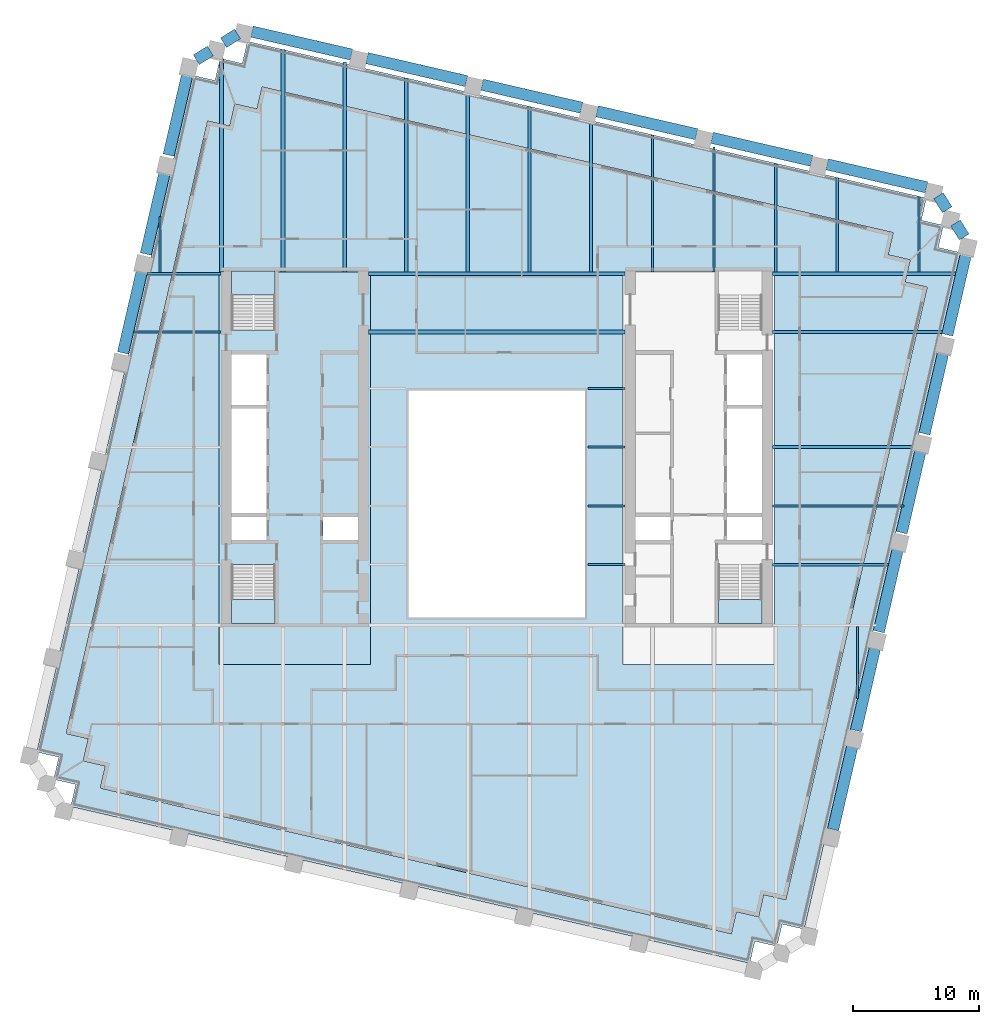
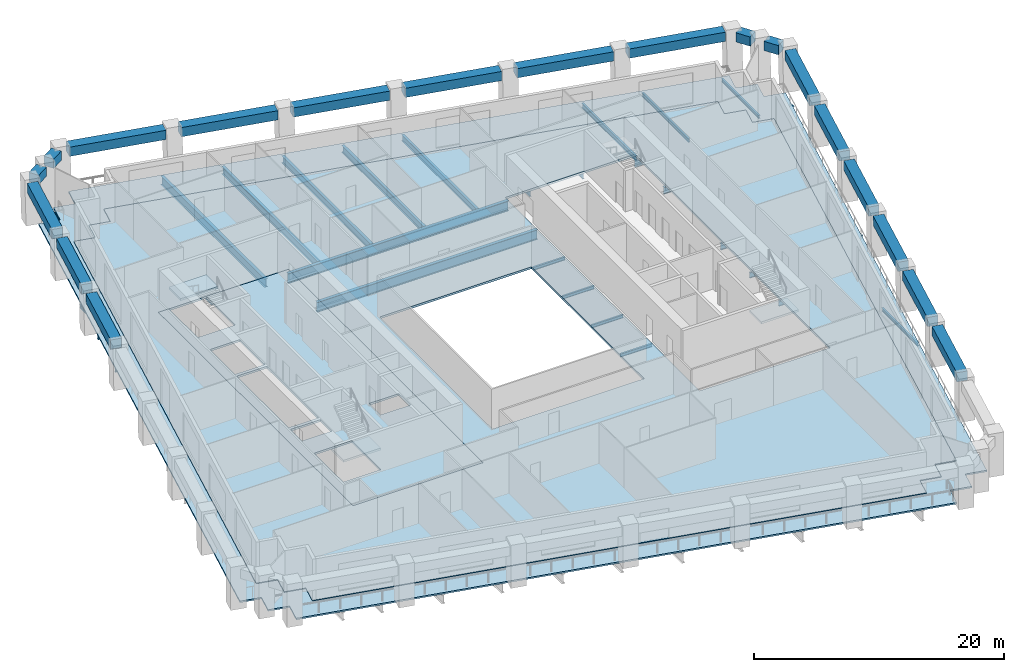
# One storey, part 2 of 10: 46 beams, 6 slabs, 3 elements without a shape of their own.
"""IFC4 building model written with IfcOpenShell, lengths in metres."""

from ifc_helpers import new_model, si_unit, direction, frame, origin, origin_2d, place, context, subcontext, project, spatial, polyline, rectangle, i_section, outline, extrude, material, layer, layer_set, material_profile, profile_set, type_object, element, aggregate, save


model = new_model("IFC4")

# Units and contexts
model_context = context("Model", 3, precision=1e-05, world=origin(), true_north=direction((0.0, 1.0)))
body_context = subcontext(model_context, "Body", "Model", "MODEL_VIEW")
ifc_project = project(units=[si_unit("LENGTHUNIT", "METRE"), si_unit("AREAUNIT", "SQUARE_METRE"), si_unit("VOLUMEUNIT", "CUBIC_METRE"), si_unit("PLANEANGLEUNIT", "RADIAN"), si_unit("MASSUNIT", "GRAM", prefix="KILO")], contexts=[model_context])

# Site, building, storey
site_placement = place(None, origin())
site = spatial("IfcSite", under=ifc_project, at=site_placement, CompositionType="ELEMENT")
building_placement = place(site_placement, origin())
building = spatial("IfcBuilding", under=site, at=building_placement, Name="Ogive Exchange Tower", CompositionType="ELEMENT")
storey_placement = place(building_placement, frame((0.0, 0.0, 114.0)))
storey = spatial("IfcBuildingStorey", under=building, at=storey_placement, Name="L24", CompositionType="ELEMENT", Elevation=114.0)

# Beams
ifc_material_1 = material(Name="Steel ASTM A992 Gr50", Category="steel")
ifc_material_profile_1 = material_profile(ifc_material_1, i_section(OverallWidth=0.300048828125, OverallDepth=0.969970703125, WebThickness=0.01611328125, FlangeThickness=0.02099609375, at=origin_2d()), Name="W1000x222")
ifc_profile_set_1 = profile_set([ifc_material_profile_1], Name="Steel ASTM A992 Gr50")
beam_type_1 = type_object("IfcBeamType", Name="Floor beam W1000x222", PredefinedType="JOIST", material=ifc_profile_set_1)
beam_1_placement = place(storey_placement, frame((-10.169921875, 20.62255859375, -0.68505859375), z_axis=(1.0, 0.0, 0.0), x_axis=(0.0, 1.0, 0.0)))
element("IfcBeam", 1, at=beam_1_placement, inside=storey, type_object=beam_type_1, Name="Floor beam", PredefinedType="JOIST", context=body_context, shape_type="SweptSolid", body=[
    extrude(i_section(OverallWidth=0.300048828125, OverallDepth=0.969970703125, WebThickness=0.01611328125, FlangeThickness=0.02099609375, at=origin_2d()), origin(), (0.0, 0.0, 1.0), 20.33984375),
])
ifc_material_profile_2 = material_profile(ifc_material_1, i_section(OverallWidth=0.1650390625, OverallDepth=0.31005859375, WebThickness=0.005859375, FlangeThickness=0.009765625, at=origin_2d()), Name="W310x38.7")
ifc_profile_set_2 = profile_set([ifc_material_profile_2], Name="Steel ASTM A992 Gr50")
beam_type_2 = type_object("IfcBeamType", Name="Floor beam W310x38.7", PredefinedType="JOIST", material=ifc_profile_set_2)
for number, where, z_axis, x_axis, name in (
    (2, (7.219970703125, 2.208740234375, -0.35498046875), (1.0, 0.0, 0.0), (0.0, 1.0, 0.0), "Floor beam"),
    (3, (7.219970703125, 6.857421875, -0.35498046875), (1.0, 0.0, 0.0), (0.0, 1.0, 0.0), "Floor beam"),
    (4, (7.219970703125, 11.50634765625, -0.35498046875), (1.0, 0.0, 0.0), (0.0, 1.0, 0.0), "Floor beam"),
):
    element("IfcBeam", number, at=place(storey_placement, frame(where, z_axis=z_axis, x_axis=x_axis)), inside=storey, type_object=beam_type_2, Name=name, PredefinedType="JOIST", context=body_context, shape_type="SweptSolid", body=[
        extrude(i_section(OverallWidth=0.1650390625, OverallDepth=0.31005859375, WebThickness=0.005859375, FlangeThickness=0.009765625, at=origin_2d()), origin(), (0.0, 0.0, 1.0), 2.949951171875),
    ])
beam_2_placement = place(storey_placement, frame((28.578125, -8.41162109375, -0.35498046875), z_axis=(0.0, 1.0, 0.0), x_axis=(-1.0, 0.0, 0.0)))
element("IfcBeam", 5, at=beam_2_placement, inside=storey, type_object=beam_type_2, Name="Floor beam", PredefinedType="JOIST", context=body_context, shape_type="SweptSolid", body=[
    extrude(i_section(OverallWidth=0.1650390625, OverallDepth=0.31005859375, WebThickness=0.005859375, FlangeThickness=0.009765625, at=origin_2d()), origin(), (0.0, 0.0, 1.0), 5.720703125),
])
beam_3_placement = place(storey_placement, frame((-26.68359375, 25.33056640625, -0.35498046875), z_axis=(0.0, 1.0, 0.0), x_axis=(-1.0, 0.0, 0.0)))
element("IfcBeam", 6, at=beam_3_placement, inside=storey, type_object=beam_type_2, Name="Floor beam", PredefinedType="JOIST", context=body_context, shape_type="SweptSolid", body=[
    extrude(i_section(OverallWidth=0.1650390625, OverallDepth=0.31005859375, WebThickness=0.005859375, FlangeThickness=0.009765625, at=origin_2d()), origin(), (0.0, 0.0, 1.0), 4.43701171875),
])
beam_4_placement = place(storey_placement, frame((33.456298828125, 25.39111328125, -0.35498046875), z_axis=(0.0, 1.0, 0.0), x_axis=(-1.0, 0.0, 0.0)))
element("IfcBeam", 7, at=beam_4_placement, inside=storey, type_object=beam_type_2, Name="Floor beam", PredefinedType="JOIST", context=body_context, shape_type="SweptSolid", body=[
    extrude(i_section(OverallWidth=0.1650390625, OverallDepth=0.31005859375, WebThickness=0.005859375, FlangeThickness=0.009765625, at=origin_2d()), origin(), (0.0, 0.0, 1.0), 5.9794921875),
])
ifc_material_profile_3 = material_profile(ifc_material_1, i_section(OverallWidth=0.1708984375, OverallDepth=0.35595703125, WebThickness=0.00732421875, FlangeThickness=0.01171875, at=origin_2d()), Name="W360x51")
ifc_profile_set_3 = profile_set([ifc_material_profile_3], Name="Steel ASTM A992 Gr50")
beam_type_3 = type_object("IfcBeamType", Name="Floor beam W360x51", PredefinedType="JOIST", material=ifc_profile_set_3)
beam_5_placement = place(storey_placement, frame((-28.76025390625, 20.62255859375, -0.3779296875), z_axis=(1.0, 0.0, 0.0), x_axis=(0.0, 1.0, 0.0)))
element("IfcBeam", 8, at=beam_5_placement, inside=storey, type_object=beam_type_3, Name="Floor beam", PredefinedType="JOIST", context=body_context, shape_type="SweptSolid", body=[
    extrude(i_section(OverallWidth=0.1708984375, OverallDepth=0.35595703125, WebThickness=0.00732421875, FlangeThickness=0.01171875, at=origin_2d()), origin(), (0.0, 0.0, 1.0), 6.93017578125),
])
beam_6_placement = place(storey_placement, frame((26.97802734375, 25.39111328125, -0.3779296875), z_axis=(0.0, 1.0, 0.0), x_axis=(-1.0, 0.0, 0.0)))
element("IfcBeam", 9, at=beam_6_placement, inside=storey, type_object=beam_type_3, Name="Floor beam", PredefinedType="JOIST", context=body_context, shape_type="SweptSolid", body=[
    extrude(i_section(OverallWidth=0.1708984375, OverallDepth=0.35595703125, WebThickness=0.00732421875, FlangeThickness=0.01171875, at=origin_2d()), origin(), (0.0, 0.0, 1.0), 7.47509765625),
])
ifc_material_profile_4 = material_profile(ifc_material_1, i_section(OverallWidth=0.19091796875, OverallDepth=0.45703125, WebThickness=0.009033203125, FlangeThickness=0.014404296875, at=origin_2d()), Name="W460x74")
ifc_profile_set_4 = profile_set([ifc_material_profile_4], Name="Steel ASTM A992 Gr50")
beam_type_4 = type_object("IfcBeamType", Name="Floor beam W460x74", PredefinedType="JOIST", material=ifc_profile_set_4)
beam_7_placement = place(storey_placement, frame((21.830078125, 2.208740234375, -0.428466796875), z_axis=(1.0, 0.0, 0.0), x_axis=(0.0, 1.0, 0.0)))
element("IfcBeam", 10, at=beam_7_placement, inside=storey, type_object=beam_type_4, Name="Floor beam", PredefinedType="JOIST", context=body_context, shape_type="SweptSolid", body=[
    extrude(i_section(OverallWidth=0.19091796875, OverallDepth=0.45703125, WebThickness=0.009033203125, FlangeThickness=0.014404296875, at=origin_2d()), origin(), (0.0, 0.0, 1.0), 9.199951171875),
])
beam_8_placement = place(storey_placement, frame((22.099853515625, 25.39111328125, -0.428466796875), z_axis=(0.0, 1.0, 0.0), x_axis=(-1.0, 0.0, 0.0)))
element("IfcBeam", 11, at=beam_8_placement, inside=storey, type_object=beam_type_4, Name="Floor beam", PredefinedType="JOIST", context=body_context, shape_type="SweptSolid", body=[
    extrude(i_section(OverallWidth=0.19091796875, OverallDepth=0.45703125, WebThickness=0.009033203125, FlangeThickness=0.014404296875, at=origin_2d()), origin(), (0.0, 0.0, 1.0), 8.601318359375),
])
ifc_material_profile_5 = material_profile(ifc_material_1, i_section(OverallWidth=0.1669921875, OverallDepth=0.535888671875, WebThickness=0.01025390625, FlangeThickness=0.0166015625, at=origin_2d()), Name="W530x85")
ifc_profile_set_5 = profile_set([ifc_material_profile_5], Name="Steel ASTM A992 Gr50")
beam_type_5 = type_object("IfcBeamType", Name="Floor beam W530x85", PredefinedType="JOIST", material=ifc_profile_set_5)
beam_9_placement = place(storey_placement, frame((21.830078125, 6.857421875, -0.468017578125), z_axis=(1.0, 0.0, 0.0), x_axis=(0.0, 1.0, 0.0)))
element("IfcBeam", 12, at=beam_9_placement, inside=storey, type_object=beam_type_5, Name="Floor beam", PredefinedType="JOIST", context=body_context, shape_type="SweptSolid", body=[
    extrude(i_section(OverallWidth=0.1669921875, OverallDepth=0.535888671875, WebThickness=0.01025390625, FlangeThickness=0.0166015625, at=origin_2d()), origin(), (0.0, 0.0, 1.0), 10.423095703125),
])
beam_10_placement = place(storey_placement, frame((12.343017578125, 25.39990234375, -0.468017578125), z_axis=(0.0, 1.0, 0.0), x_axis=(-1.0, 0.0, 0.0)))
element("IfcBeam", 13, at=beam_10_placement, inside=storey, type_object=beam_type_5, Name="Floor beam", PredefinedType="JOIST", context=body_context, shape_type="SweptSolid", body=[
    extrude(i_section(OverallWidth=0.1669921875, OverallDepth=0.535888671875, WebThickness=0.01025390625, FlangeThickness=0.0166015625, at=origin_2d()), origin(), (0.0, 0.0, 1.0), 10.844970703125),
])
beam_11_placement = place(storey_placement, frame((17.221435546875, 25.39990234375, -0.468017578125), z_axis=(0.0, 1.0, 0.0), x_axis=(-1.0, 0.0, 0.0)))
element("IfcBeam", 14, at=beam_11_placement, inside=storey, type_object=beam_type_5, Name="Floor beam", PredefinedType="JOIST", context=body_context, shape_type="SweptSolid", body=[
    extrude(i_section(OverallWidth=0.1669921875, OverallDepth=0.535888671875, WebThickness=0.01025390625, FlangeThickness=0.0166015625, at=origin_2d()), origin(), (0.0, 0.0, 1.0), 9.86865234375),
])
ifc_material_profile_6 = material_profile(ifc_material_1, i_section(OverallWidth=0.22802734375, OverallDepth=0.60205078125, WebThickness=0.010498046875, FlangeThickness=0.014892578125, at=origin_2d()), Name="W610x101")
ifc_profile_set_6 = profile_set([ifc_material_profile_6], Name="Steel ASTM A992 Gr50")
beam_type_6 = type_object("IfcBeamType", Name="Floor beam W610x101", PredefinedType="JOIST", material=ifc_profile_set_6)
beam_12_placement = place(storey_placement, frame((21.830078125, 11.50634765625, -0.5009765625), z_axis=(1.0, 0.0, 0.0), x_axis=(0.0, 1.0, 0.0)))
element("IfcBeam", 15, at=beam_12_placement, inside=storey, type_object=beam_type_6, Name="Floor beam", PredefinedType="JOIST", context=body_context, shape_type="SweptSolid", body=[
    extrude(i_section(OverallWidth=0.22802734375, OverallDepth=0.60205078125, WebThickness=0.010498046875, FlangeThickness=0.014892578125, at=origin_2d()), origin(), (0.0, 0.0, 1.0), 11.346435546875),
])
beam_13_placement = place(storey_placement, frame((7.464599609375, 25.39501953125, -0.5009765625), z_axis=(0.0, 1.0, 0.0), x_axis=(-1.0, 0.0, 0.0)))
element("IfcBeam", 16, at=beam_13_placement, inside=storey, type_object=beam_type_6, Name="Floor beam", PredefinedType="JOIST", context=body_context, shape_type="SweptSolid", body=[
    extrude(i_section(OverallWidth=0.22802734375, OverallDepth=0.60205078125, WebThickness=0.010498046875, FlangeThickness=0.014892578125, at=origin_2d()), origin(), (0.0, 0.0, 1.0), 11.97607421875),
])
ifc_material_profile_7 = material_profile(ifc_material_1, i_section(OverallWidth=0.25390625, OverallDepth=0.677978515625, WebThickness=0.01171875, FlangeThickness=0.016357421875, at=origin_2d()), Name="W690x125")
ifc_profile_set_7 = profile_set([ifc_material_profile_7], Name="Steel ASTM A992 Gr50")
beam_type_7 = type_object("IfcBeamType", Name="Floor beam W690x125", PredefinedType="JOIST", material=ifc_profile_set_7)
beam_14_placement = place(storey_placement, frame((21.830078125, 20.62255859375, -0.5390625), z_axis=(1.0, 0.0, 0.0), x_axis=(0.0, 1.0, 0.0)))
element("IfcBeam", 17, at=beam_14_placement, inside=storey, type_object=beam_type_7, Name="Floor beam", PredefinedType="JOIST", context=body_context, shape_type="SweptSolid", body=[
    extrude(i_section(OverallWidth=0.25390625, OverallDepth=0.677978515625, WebThickness=0.01171875, FlangeThickness=0.016357421875, at=origin_2d()), origin(), (0.0, 0.0, 1.0), 13.60107421875),
])
beam_15_placement = place(storey_placement, frame((-2.2919921875, 25.39501953125, -0.5390625), z_axis=(0.0, 1.0, 0.0), x_axis=(-1.0, 0.0, 0.0)))
element("IfcBeam", 18, at=beam_15_placement, inside=storey, type_object=beam_type_7, Name="Floor beam", PredefinedType="JOIST", context=body_context, shape_type="SweptSolid", body=[
    extrude(i_section(OverallWidth=0.25390625, OverallDepth=0.677978515625, WebThickness=0.01171875, FlangeThickness=0.016357421875, at=origin_2d()), origin(), (0.0, 0.0, 1.0), 14.228515625),
])
beam_16_placement = place(storey_placement, frame((2.58642578125, 25.39501953125, -0.5390625), z_axis=(0.0, 1.0, 0.0), x_axis=(-1.0, 0.0, 0.0)))
element("IfcBeam", 19, at=beam_16_placement, inside=storey, type_object=beam_type_7, Name="Floor beam", PredefinedType="JOIST", context=body_context, shape_type="SweptSolid", body=[
    extrude(i_section(OverallWidth=0.25390625, OverallDepth=0.677978515625, WebThickness=0.01171875, FlangeThickness=0.016357421875, at=origin_2d()), origin(), (0.0, 0.0, 1.0), 13.102294921875),
])
ifc_material_profile_8 = material_profile(ifc_material_1, i_section(OverallWidth=0.26708984375, OverallDepth=0.75390625, WebThickness=0.01318359375, FlangeThickness=0.01708984375, at=origin_2d()), Name="W760x147")
ifc_profile_set_8 = profile_set([ifc_material_profile_8], Name="Steel ASTM A992 Gr50")
beam_type_8 = type_object("IfcBeamType", Name="Floor beam W760x147", PredefinedType="JOIST", material=ifc_profile_set_8)
beam_17_placement = place(storey_placement, frame((-7.17041015625, 25.39501953125, -0.576904296875), z_axis=(0.0, 1.0, 0.0), x_axis=(-1.0, 0.0, 0.0)))
element("IfcBeam", 20, at=beam_17_placement, inside=storey, type_object=beam_type_8, Name="Floor beam", PredefinedType="JOIST", context=body_context, shape_type="SweptSolid", body=[
    extrude(i_section(OverallWidth=0.26708984375, OverallDepth=0.75390625, WebThickness=0.01318359375, FlangeThickness=0.01708984375, at=origin_2d()), origin(), (0.0, 0.0, 1.0), 15.35498046875),
])
ifc_material_profile_9 = material_profile(ifc_material_1, i_section(OverallWidth=0.2919921875, OverallDepth=0.8359375, WebThickness=0.013916015625, FlangeThickness=0.018798828125, at=origin_2d()), Name="W840x176")
ifc_profile_set_9 = profile_set([ifc_material_profile_9], Name="Steel ASTM A992 Gr50")
beam_type_9 = type_object("IfcBeamType", Name="Floor beam W840x176", PredefinedType="JOIST", material=ifc_profile_set_9)
beam_18_placement = place(storey_placement, frame((-21.805419921875, 25.39990234375, -0.617919921875), z_axis=(0.0, 1.0, 0.0), x_axis=(-1.0, 0.0, 0.0)))
element("IfcBeam", 21, at=beam_18_placement, inside=storey, type_object=beam_type_9, Name="Floor beam", PredefinedType="JOIST", context=body_context, shape_type="SweptSolid", body=[
    extrude(i_section(OverallWidth=0.2919921875, OverallDepth=0.8359375, WebThickness=0.013916015625, FlangeThickness=0.018798828125, at=origin_2d()), origin(), (0.0, 0.0, 1.0), 16.88134765625),
])
beam_19_placement = place(storey_placement, frame((-12.048583984375, 25.39990234375, -0.617919921875), z_axis=(0.0, 1.0, 0.0), x_axis=(-1.0, 0.0, 0.0)))
element("IfcBeam", 22, at=beam_19_placement, inside=storey, type_object=beam_type_9, Name="Floor beam", PredefinedType="JOIST", context=body_context, shape_type="SweptSolid", body=[
    extrude(i_section(OverallWidth=0.2919921875, OverallDepth=0.8359375, WebThickness=0.013916015625, FlangeThickness=0.018798828125, at=origin_2d()), origin(), (0.0, 0.0, 1.0), 16.626220703125),
])
ifc_material_profile_10 = material_profile(ifc_material_1, i_section(OverallWidth=0.2919921875, OverallDepth=0.845947265625, WebThickness=0.015380859375, FlangeThickness=0.0244140625, at=origin_2d()), Name="W840x210")
ifc_profile_set_10 = profile_set([ifc_material_profile_10], Name="Steel ASTM A992 Gr50")
beam_type_10 = type_object("IfcBeamType", Name="Floor beam W840x210", PredefinedType="JOIST", material=ifc_profile_set_10)
beam_20_placement = place(storey_placement, frame((-16.927001953125, 25.39990234375, -0.623046875), z_axis=(0.0, 1.0, 0.0), x_axis=(-1.0, 0.0, 0.0)))
element("IfcBeam", 23, at=beam_20_placement, inside=storey, type_object=beam_type_10, Name="Floor beam", PredefinedType="JOIST", context=body_context, shape_type="SweptSolid", body=[
    extrude(i_section(OverallWidth=0.2919921875, OverallDepth=0.845947265625, WebThickness=0.015380859375, FlangeThickness=0.0244140625, at=origin_2d()), origin(), (0.0, 0.0, 1.0), 17.6025390625),
])
ifc_material_profile_11 = material_profile(ifc_material_1, i_section(OverallWidth=0.300048828125, OverallDepth=0.97998046875, WebThickness=0.0166015625, FlangeThickness=0.026123046875, at=origin_2d()), Name="W1000x249")
ifc_profile_set_11 = profile_set([ifc_material_profile_11], Name="Steel ASTM A992 Gr50")
beam_type_11 = type_object("IfcBeamType", Name="Girder W1000x249", PredefinedType="BEAM", material=ifc_profile_set_11)
beam_21_placement = place(storey_placement, frame((-10.169921875, 25.2451171875, -0.68994140625), z_axis=(1.0, 0.0, 0.0), x_axis=(0.0, 1.0, 0.0)))
element("IfcBeam", 24, at=beam_21_placement, inside=storey, type_object=beam_type_11, Name="Header girder", PredefinedType="BEAM", context=body_context, shape_type="SweptSolid", body=[
    extrude(i_section(OverallWidth=0.300048828125, OverallDepth=0.97998046875, WebThickness=0.0166015625, FlangeThickness=0.026123046875, at=origin_2d()), origin(), (0.0, 0.0, 1.0), 20.33984375),
])
ifc_material_profile_12 = material_profile(ifc_material_1, i_section(OverallWidth=0.1650390625, OverallDepth=0.31005859375, WebThickness=0.005859375, FlangeThickness=0.009765625, at=origin_2d()), Name="W310x38.7")
ifc_profile_set_12 = profile_set([ifc_material_profile_12], Name="Steel ASTM A992 Gr50")
beam_type_12 = type_object("IfcBeamType", Name="Girder W310x38.7", PredefinedType="BEAM", material=ifc_profile_set_12)
beam_22_placement = place(storey_placement, frame((7.219970703125, 16.155029296875, -0.35498046875), z_axis=(1.0, 0.0, 0.0), x_axis=(0.0, 1.0, 0.0)))
element("IfcBeam", 25, at=beam_22_placement, inside=storey, type_object=beam_type_12, Name="Trimmer girder", PredefinedType="BEAM", context=body_context, shape_type="SweptSolid", body=[
    extrude(i_section(OverallWidth=0.1650390625, OverallDepth=0.31005859375, WebThickness=0.005859375, FlangeThickness=0.009765625, at=origin_2d()), origin(), (0.0, 0.0, 1.0), 2.949951171875),
])
ifc_material_profile_13 = material_profile(ifc_material_1, i_section(OverallWidth=0.1708984375, OverallDepth=0.35595703125, WebThickness=0.00732421875, FlangeThickness=0.01171875, at=origin_2d()), Name="W360x51")
ifc_profile_set_13 = profile_set([ifc_material_profile_13], Name="Steel ASTM A992 Gr50")
beam_type_13 = type_object("IfcBeamType", Name="Girder W360x51", PredefinedType="BEAM", material=ifc_profile_set_13)
beam_23_placement = place(storey_placement, frame((-27.693115234375, 25.2451171875, -0.3779296875), z_axis=(1.0, 0.0, 0.0), x_axis=(0.0, 1.0, 0.0)))
element("IfcBeam", 26, at=beam_23_placement, inside=storey, type_object=beam_type_13, Name="Header girder", PredefinedType="BEAM", context=body_context, shape_type="SweptSolid", body=[
    extrude(i_section(OverallWidth=0.1708984375, OverallDepth=0.35595703125, WebThickness=0.00732421875, FlangeThickness=0.01171875, at=origin_2d()), origin(), (0.0, 0.0, 1.0), 5.863037109375),
])
ifc_material_profile_14 = material_profile(ifc_material_1, i_section(OverallWidth=0.2919921875, OverallDepth=0.8359375, WebThickness=0.013916015625, FlangeThickness=0.018798828125, at=origin_2d()), Name="W840x176")
ifc_profile_set_14 = profile_set([ifc_material_profile_14], Name="Steel ASTM A992 Gr50")
beam_type_14 = type_object("IfcBeamType", Name="Girder W840x176", PredefinedType="BEAM", material=ifc_profile_set_14)
beam_24_placement = place(storey_placement, frame((21.830078125, 25.2451171875, -0.617919921875), z_axis=(1.0, 0.0, 0.0), x_axis=(0.0, 1.0, 0.0)))
element("IfcBeam", 27, at=beam_24_placement, inside=storey, type_object=beam_type_14, Name="Header girder", PredefinedType="BEAM", context=body_context, shape_type="SweptSolid", body=[
    extrude(i_section(OverallWidth=0.2919921875, OverallDepth=0.8359375, WebThickness=0.013916015625, FlangeThickness=0.018798828125, at=origin_2d()), origin(), (0.0, 0.0, 1.0), 14.668212890625),
])
ifc_material_2 = material(Name="Precast concrete C70/85 (limestone faced)", Category="masonry")
ifc_material_profile_15 = material_profile(ifc_material_2, rectangle(XDim=0.89990234375, YDim=0.89990234375, at=origin_2d()), Name="900 x 900")
ifc_profile_set_15 = profile_set([ifc_material_profile_15], Name="Precast concrete C70/85 (limestone faced)")
beam_type_15 = type_object("IfcBeamType", Name="Precast spandrel 900 x 900 C70/85", PredefinedType="SPANDREL", material=ifc_profile_set_15)
for number, where, z_axis, x_axis, name in (
    (28, (26.648193359375, -18.770751953125, 3.5), (0.224962043888, 0.974367527584, 0.0), (-0.974367527584, 0.224962043888, 0.0), "Spandrel 10"),
    (29, (28.457275390625, -10.935302734375, 3.5), (0.224962043888, 0.974367527584, 0.0), (-0.974367527584, 0.224962043888, 0.0), "Spandrel 11"),
    (30, (30.26611328125, -3.099853515625, 3.5), (0.224962043888, 0.974367527584, 0.0), (-0.974367527584, 0.224962043888, 0.0), "Spandrel 12"),
    (31, (32.0751953125, 4.735595703125, 3.5), (0.224927865655, 0.974375418025, 0.0), (-0.974375418025, 0.224927865655, 0.0), "Spandrel 13"),
    (32, (33.88427734375, 12.571044921875, 3.5), (0.224927865655, 0.974375418025, 0.0), (-0.974375418025, 0.224927865655, 0.0), "Spandrel 14"),
    (33, (35.693115234375, 20.406494140625, 3.5), (0.224927865655, 0.974375418025, 0.0), (-0.974375418025, 0.224927865655, 0.0), "Spandrel 15"),
):
    element("IfcBeam", number, at=place(storey_placement, frame(where, z_axis=z_axis, x_axis=x_axis)), inside=storey, type_object=beam_type_15, Name=name, PredefinedType="SPANDREL", context=body_context, shape_type="SweptSolid", body=[
        extrude(rectangle(XDim=0.89990234375, YDim=0.89990234375, at=origin_2d()), origin(), (0.0, 0.0, 1.0), 6.78173828125),
    ])
for number, where, z_axis, x_axis, name in (
    (34, (37.0322265625, 28.1533203125, 3.5), (-0.529931776808, 0.848040277303, 0.0), (-0.848040277303, -0.529931776808, 0.0), "Spandrel 16"),
    (35, (35.68310546875, 30.31201171875, 3.5), (-0.529847842077, 0.848092721491, 0.0), (-0.848092721491, -0.529847842077, 0.0), "Spandrel 17"),
):
    element("IfcBeam", number, at=place(storey_placement, frame(where, z_axis=z_axis, x_axis=x_axis)), inside=storey, type_object=beam_type_15, Name=name, PredefinedType="SPANDREL", context=body_context, shape_type="SweptSolid", body=[
        extrude(rectangle(XDim=0.89990234375, YDim=0.89990234375, at=origin_2d()), origin(), (0.0, 0.0, 1.0), 1.30712890625),
    ])
for number, where, z_axis, x_axis, name in (
    (36, (34.048583984375, 32.08740234375, 3.5), (-0.974370337884, 0.224949871421, 0.0), (-0.224949871421, -0.974370337884, 0.0), "Spandrel 18"),
    (37, (24.938232421875, 34.190673828125, 3.5), (-0.974370337884, 0.224949871421, 0.0), (-0.224949871421, -0.974370337884, 0.0), "Spandrel 19"),
    (38, (15.827880859375, 36.2939453125, 3.5), (-0.974363722868, 0.224978522439, 0.0), (-0.224978522439, -0.974363722868, 0.0), "Spandrel 20"),
    (39, (6.717529296875, 38.397216796875, 3.5), (-0.974363722868, 0.224978522439, 0.0), (-0.224978522439, -0.974363722868, 0.0), "Spandrel 21"),
    (40, (-2.392822265625, 40.50048828125, 3.5), (-0.974363722868, 0.224978522439, 0.0), (-0.224978522439, -0.974363722868, 0.0), "Spandrel 22"),
):
    element("IfcBeam", number, at=place(storey_placement, frame(where, z_axis=z_axis, x_axis=x_axis)), inside=storey, type_object=beam_type_15, Name=name, PredefinedType="SPANDREL", context=body_context, shape_type="SweptSolid", body=[
        extrude(rectangle(XDim=0.89990234375, YDim=0.89990234375, at=origin_2d()), origin(), (0.0, 0.0, 1.0), 8.08984375),
    ])
beam_25_placement = place(storey_placement, frame((-11.503173828125, 42.60400390625, 3.5), z_axis=(-0.974371864918, 0.224943256972, 0.0), x_axis=(-0.224943256972, -0.974371864918, 0.0)))
element("IfcBeam", 41, at=beam_25_placement, inside=storey, type_object=beam_type_15, Name="Spandrel 23", PredefinedType="SPANDREL", context=body_context, shape_type="SweptSolid", body=[
    extrude(rectangle(XDim=0.89990234375, YDim=0.89990234375, at=origin_2d()), origin(), (0.0, 0.0, 1.0), 8.090087890625),
])
for number, where, z_axis, x_axis, name in (
    (42, (-20.52490234375, 44.2373046875, 3.5), (-0.848040277303, -0.529931776808, 0.0), (0.529931776808, -0.848040277303, 0.0), "Spandrel 24"),
    (43, (-22.68359375, 42.888427734375, 3.5), (-0.848040277303, -0.529931776808, 0.0), (0.529931776808, -0.848040277303, 0.0), "Spandrel 25"),
):
    element("IfcBeam", number, at=place(storey_placement, frame(where, z_axis=z_axis, x_axis=x_axis)), inside=storey, type_object=beam_type_15, Name=name, PredefinedType="SPANDREL", context=body_context, shape_type="SweptSolid", body=[
        extrude(rectangle(XDim=0.89990234375, YDim=0.89990234375, at=origin_2d()), origin(), (0.0, 0.0, 1.0), 1.30712890625),
    ])
for number, where, z_axis, x_axis, name in (
    (44, (-24.458984375, 41.253662109375, 3.5), (-0.224969935134, -0.974365705619, 0.0), (0.974365705619, -0.224969935134, 0.0), "Spandrel 26"),
    (45, (-26.26806640625, 33.418212890625, 3.5), (-0.22493575583, -0.974373596599, 0.0), (0.974373596599, -0.22493575583, 0.0), "Spandrel 27"),
    (46, (-28.076904296875, 25.582763671875, 3.5), (-0.22493575583, -0.974373596599, 0.0), (0.974373596599, -0.22493575583, 0.0), "Spandrel 28"),
):
    element("IfcBeam", number, at=place(storey_placement, frame(where, z_axis=z_axis, x_axis=x_axis)), inside=storey, type_object=beam_type_15, Name=name, PredefinedType="SPANDREL", context=body_context, shape_type="SweptSolid", body=[
        extrude(rectangle(XDim=0.89990234375, YDim=0.89990234375, at=origin_2d()), origin(), (0.0, 0.0, 1.0), 6.781494140625),
    ])

# Slabs
ifc_material_3 = material(Name="Concrete C50/60", Category="concrete")
ifc_layer_1 = layer(ifc_material_3, 0.199951171875)
ifc_layer_set_1 = layer_set([ifc_layer_1], Name="Composite floor slab 200")
slab_type_1 = type_object("IfcSlabType", Name="Composite floor slab 200", PredefinedType="FLOOR", material=ifc_layer_set_1)
slab_1_placement = place(storey_placement, frame((0.0, 0.0, -0.199951171875)))
element("IfcSlab", 47, at=slab_1_placement, inside=storey, type_object=slab_type_1, Name="Composite floor slab", PredefinedType="FLOOR", context=body_context, shape_type="SweptSolid", body=[
    extrude(outline(polyline([(-30.998779296875, -13.74560546875), (-32.752685546875, -13.3408203125), (-32.34765625, -11.5869140625), (-34.1015625, -11.181884765625), (-22.89892578125, 37.341552734375), (-21.145263671875, 36.936767578125), (-20.740234375, 38.690673828125), (-18.986328125, 38.28564453125), (-18.58154296875, 40.03955078125), (31.40380859375, 28.49951171875), (30.998779296875, 26.74560546875), (32.752685546875, 26.3408203125), (32.34765625, 24.5869140625), (34.1015625, 24.181884765625), (22.89892578125, -24.341552734375), (21.145263671875, -23.936767578125), (20.740234375, -25.690673828125), (18.986328125, -25.28564453125), (18.58154296875, -27.03955078125), (-31.40380859375, -15.49951171875), (-30.998779296875, -13.74560546875)]), holes=[polyline([(7.0, -2.0), (7.0, 16.0), (-7.0, 16.0), (-7.0, -2.0), (7.0, -2.0)]), polyline([(-22.0, -5.699951171875), (-10.0, -5.699951171875), (-10.0, 25.39990234375), (-22.0, 25.39990234375), (-22.0, -5.699951171875)]), polyline([(10.0, -5.699951171875), (22.0, -5.699951171875), (22.0, 25.39990234375), (10.0, 25.39990234375), (10.0, -5.699951171875)])]), origin(), (0.0, 0.0, 1.0), 0.199951171875),
])
ifc_material_4 = material(Name="Concrete C70/85", Category="concrete")
ifc_layer_2 = layer(ifc_material_4, 0.199951171875)
ifc_layer_set_2 = layer_set([ifc_layer_2], Name="Core floor slab 200")
slab_type_2 = type_object("IfcSlabType", Name="Core floor slab 200", PredefinedType="FLOOR", material=ifc_layer_set_2)
slab_2_placement = place(storey_placement, frame((0.0, 0.0, -0.199951171875)))
element("IfcSlab", 48, at=slab_2_placement, inside=storey, type_object=slab_type_2, Name="Core floor slab", PredefinedType="FLOOR", context=body_context, shape_type="SweptSolid", body=[
    extrude(outline(polyline([(-10.0, 25.39990234375), (-10.0, -5.699951171875), (-22.0, -5.699951171875), (-22.0, 25.39990234375), (-21.0, 25.39990234375), (-21.0, 20.803955078125), (-17.550048828125, 20.803955078125), (-17.550048828125, 25.39990234375), (-10.0, 25.39990234375)]), holes=[polyline([(-17.550048828125, 2.196044921875), (-21.0, 2.196044921875), (-21.0, -2.449951171875), (-17.550048828125, -2.449951171875), (-17.550048828125, 2.196044921875)]), polyline([(-18.25, 5.992919921875), (-21.0, 5.992919921875), (-21.0, 4.14990234375), (-18.25, 4.14990234375), (-18.25, 5.992919921875)]), polyline([(-11.0, 5.992919921875), (-13.75, 5.992919921875), (-13.75, 4.14990234375), (-11.0, 4.14990234375), (-11.0, 5.992919921875)]), polyline([(-21.0, 14.564208984375), (-21.0, 6.29296875), (-18.25, 6.29296875), (-18.25, 14.564208984375), (-21.0, 14.564208984375)]), polyline([(-18.25, 18.85009765625), (-21.0, 18.85009765625), (-21.0, 14.8642578125), (-18.25, 14.8642578125), (-18.25, 18.85009765625)])]), origin(), (0.0, 0.0, 1.0), 0.199951171875),
])
ifc_layer_3 = layer(ifc_material_3, 0.14990234375)
ifc_layer_set_3 = layer_set([ifc_layer_3], Name="Loggia deck 150")
slab_type_3 = type_object("IfcSlabType", Name="Loggia deck 150", PredefinedType="FLOOR", material=ifc_layer_set_3)
slab_3_placement = place(storey_placement, frame((0.0, 0.0, -0.199951171875)))
element("IfcSlab", 49, at=slab_3_placement, inside=storey, type_object=slab_type_3, Name="Loggia deck", PredefinedType="FLOOR", context=body_context, shape_type="SweptSolid", body=[
    extrude(outline(polyline([(-33.33740234375, -15.20703125), (-35.09130859375, -14.802001953125), (-34.686279296875, -13.04833984375), (-36.440185546875, -12.643310546875), (-24.06591796875, 40.955810546875), (-22.31201171875, 40.55078125), (-21.9072265625, 42.3046875), (-20.1533203125, 41.89990234375), (-19.748291015625, 43.65380859375), (34.036865234375, 31.236572265625), (33.6318359375, 29.482666015625), (35.3857421875, 29.07763671875), (34.98095703125, 27.32373046875), (36.73486328125, 26.9189453125), (24.3603515625, -26.680419921875), (22.6064453125, -26.275390625), (22.20166015625, -28.029296875), (20.44775390625, -27.62451171875), (20.04296875, -29.378173828125), (-33.742431640625, -16.9609375), (-33.33740234375, -15.20703125)]), holes=[polyline([(18.986328125, -25.28564453125), (20.740234375, -25.690673828125), (21.145263671875, -23.936767578125), (22.89892578125, -24.341552734375), (34.1015625, 24.181884765625), (32.34765625, 24.5869140625), (32.752685546875, 26.3408203125), (30.998779296875, 26.74560546875), (31.40380859375, 28.49951171875), (-18.58154296875, 40.03955078125), (-18.986328125, 38.28564453125), (-20.740234375, 38.690673828125), (-21.145263671875, 36.936767578125), (-22.89892578125, 37.341552734375), (-34.1015625, -11.181884765625), (-32.34765625, -11.5869140625), (-32.752685546875, -13.3408203125), (-30.998779296875, -13.74560546875), (-31.40380859375, -15.49951171875), (18.58154296875, -27.03955078125), (18.986328125, -25.28564453125)])]), origin(), (0.0, 0.0, 1.0), 0.14990234375),
])

# Stair, slab
ifc_material_5 = material(Name="Concrete C40/50", Category="concrete")
stair_type = type_object("IfcStairType", Name="Exit stair 1650 wide", PredefinedType="HALF_TURN_STAIR", material=ifc_material_5)
stair_1_placement = place(storey_placement, origin())
stair_1 = element("IfcStair", 50, at=stair_1_placement, inside=storey, type_object=stair_type, Name="L24 exit stair ST1", PredefinedType="HALF_TURN_STAIR")
ifc_layer_4 = layer(ifc_material_5, 0.199951171875)
ifc_layer_set_4 = layer_set([ifc_layer_4], Name="Stair landing 200 slab")
slab_type_4 = type_object("IfcSlabType", Name="Stair landing 200 slab", PredefinedType="LANDING", material=ifc_layer_set_4)
slab_4_placement = place(storey_placement, frame((0.0, 0.0, 1.89990234375)))
slab_4 = element("IfcSlab", 51, at=slab_4_placement, type_object=slab_type_4, Name="ST1 landing 1", PredefinedType="LANDING", context=body_context, shape_type="SweptSolid", body=[
    extrude(outline(polyline([(-21.0, -0.550048828125), (-21.0, -2.449951171875), (-17.550048828125, -2.449951171875), (-17.550048828125, -0.550048828125), (-21.0, -0.550048828125)])), origin(), (0.0, 0.0, 1.0), 0.2001953125),
])
aggregate(stair_1, [slab_4])

stair_2_placement = place(storey_placement, origin())
stair_2 = element("IfcStair", 52, at=stair_2_placement, inside=storey, type_object=stair_type, Name="L24 exit stair ST2", PredefinedType="HALF_TURN_STAIR")
slab_5_placement = place(storey_placement, frame((0.0, 0.0, 1.89990234375)))
slab_5 = element("IfcSlab", 53, at=slab_5_placement, type_object=slab_type_4, Name="ST2 landing 1", PredefinedType="LANDING", context=body_context, shape_type="SweptSolid", body=[
    extrude(outline(polyline([(-17.550048828125, 23.550048828125), (-17.550048828125, 25.449951171875), (-21.0, 25.449951171875), (-21.0, 23.550048828125), (-17.550048828125, 23.550048828125)])), origin(), (0.0, 0.0, 1.0), 0.2001953125),
])
aggregate(stair_2, [slab_5])

stair_3_placement = place(storey_placement, origin())
stair_3 = element("IfcStair", 54, at=stair_3_placement, inside=storey, type_object=stair_type, Name="L24 exit stair ST3", PredefinedType="HALF_TURN_STAIR")
slab_6_placement = place(storey_placement, frame((0.0, 0.0, 1.89990234375)))
slab_6 = element("IfcSlab", 55, at=slab_6_placement, type_object=slab_type_4, Name="ST3 landing 1", PredefinedType="LANDING", context=body_context, shape_type="SweptSolid", body=[
    extrude(outline(polyline([(17.550048828125, -0.550048828125), (17.550048828125, -2.449951171875), (21.0, -2.449951171875), (21.0, -0.550048828125), (17.550048828125, -0.550048828125)])), origin(), (0.0, 0.0, 1.0), 0.2001953125),
])
aggregate(stair_3, [slab_6])

save(model, "model.ifc")
